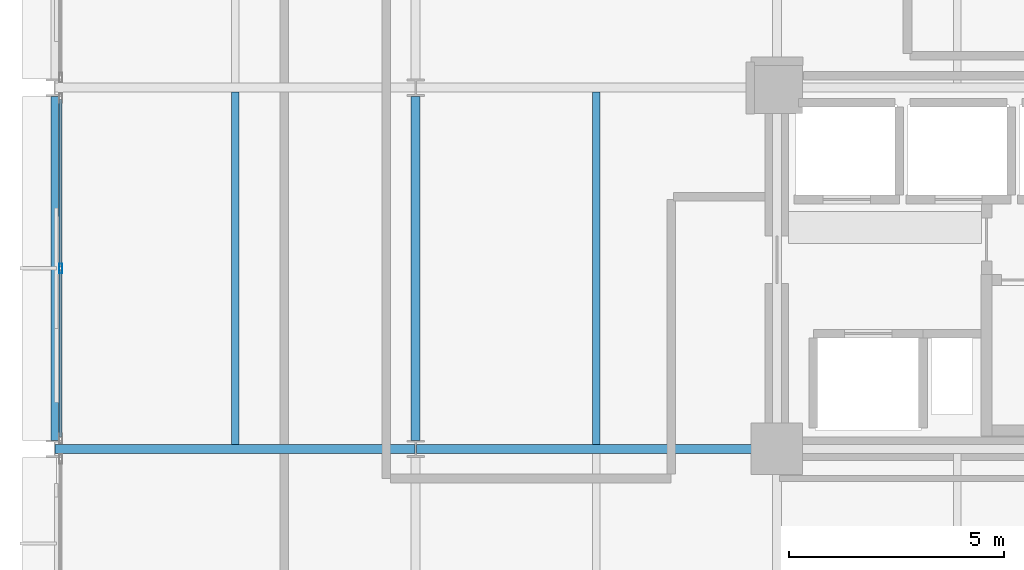
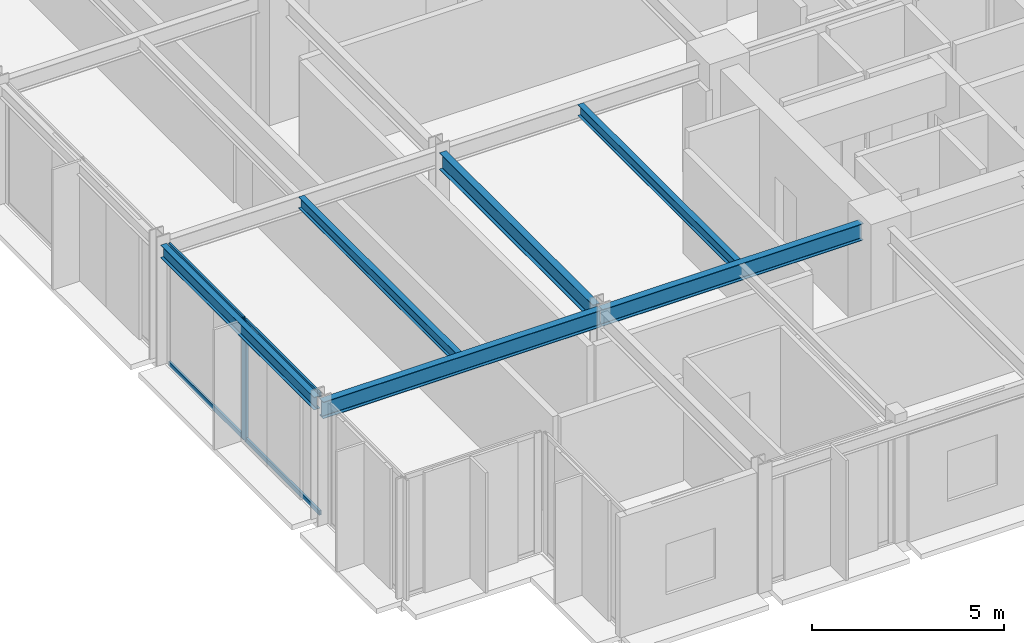
# One storey, part 3 of 25: 6 beams, 5 members, 1 element without a shape of its own.
"""IFC4 building model written with IfcOpenShell, lengths in metres."""

from ifc_helpers import new_model, si_unit, direction, frame, origin, origin_2d, place, context, subcontext, project, spatial, hollow_rectangle, i_section, extrude, material, layer, layer_set, material_profile, profile_set, type_object, element, aggregate, save


model = new_model("IFC4")

# Units and contexts
model_context = context("Model", 3, precision=1e-05, world=origin(), true_north=direction((0.0, 1.0)))
body_context = subcontext(model_context, "Body", "Model", "MODEL_VIEW")
ifc_project = project(units=[si_unit("LENGTHUNIT", "METRE"), si_unit("AREAUNIT", "SQUARE_METRE"), si_unit("VOLUMEUNIT", "CUBIC_METRE"), si_unit("PLANEANGLEUNIT", "RADIAN"), si_unit("MASSUNIT", "GRAM", prefix="KILO")], contexts=[model_context])

# Site, building, storey
site_placement = place(None, origin())
site = spatial("IfcSite", under=ifc_project, at=site_placement, CompositionType="ELEMENT")
building_placement = place(site_placement, origin())
building = spatial("IfcBuilding", under=site, at=building_placement, Name="Nerrivon Quay Data Exchange", CompositionType="ELEMENT")
storey_placement = place(building_placement, frame((0.0, 0.0, 113.10009765625)))
storey = spatial("IfcBuildingStorey", under=building, at=storey_placement, Name="L26", CompositionType="ELEMENT", Elevation=113.10009765625)

# Beams
ifc_material_1 = material(Name="Steel Grade 350", Category="steel")
ifc_material_profile_1 = material_profile(ifc_material_1, i_section(OverallWidth=0.208984375, OverallDepth=0.532958984375, WebThickness=0.01025390625, FlangeThickness=0.015625, FilletRadius=0.013916015625, at=origin_2d()), Name="530UB92.4")
ifc_profile_set_1 = profile_set([ifc_material_profile_1], Name="Steel Grade 350")
beam_type_1 = type_object("IfcBeamType", Name="BM-G3-530UB92", PredefinedType="BEAM", material=ifc_profile_set_1)
beam_1_placement = place(storey_placement, frame((0.012451171875, 8.39990234375, 3.558349609375), z_axis=(1.0, 0.0, 0.0), x_axis=(0.0, 1.0, 0.0)))
element("IfcBeam", 1, at=beam_1_placement, inside=storey, type_object=beam_type_1, Name="L26 EW Girder Y=8.4 (0.0..8.4)", PredefinedType="BEAM", context=body_context, shape_type="SweptSolid", body=[
    extrude(i_section(OverallWidth=0.208984375, OverallDepth=0.532958984375, WebThickness=0.01025390625, FlangeThickness=0.015625, FilletRadius=0.013916015625, at=origin_2d()), origin(), (0.0, 0.0, 1.0), 8.375),
])
beam_2_placement = place(storey_placement, frame((8.41259765625, 8.39990234375, 3.558349609375), z_axis=(1.0, 0.0, 0.0), x_axis=(0.0, 1.0, 0.0)))
element("IfcBeam", 2, at=beam_2_placement, inside=storey, type_object=beam_type_1, Name="L26 EW Girder Y=8.4 (8.4..16.8)", PredefinedType="BEAM", context=body_context, shape_type="SweptSolid", body=[
    extrude(i_section(OverallWidth=0.208984375, OverallDepth=0.532958984375, WebThickness=0.01025390625, FlangeThickness=0.015625, FilletRadius=0.013916015625, at=origin_2d()), origin(), (0.0, 0.0, 1.0), 7.847412109375),
])
ifc_material_profile_2 = material_profile(ifc_material_1, i_section(OverallWidth=0.208984375, OverallDepth=0.528076171875, WebThickness=0.009521484375, FlangeThickness=0.01318359375, FilletRadius=0.013916015625, at=origin_2d()), Name="530UB82.0")
ifc_profile_set_2 = profile_set([ifc_material_profile_2], Name="Steel Grade 350")
beam_type_2 = type_object("IfcBeamType", Name="BM-G4-530UB82", PredefinedType="BEAM", material=ifc_profile_set_2)
beam_3_placement = place(storey_placement, frame((8.39990234375, 8.60009765625, 3.560791015625), z_axis=(0.0, 1.0, 0.0), x_axis=(-1.0, 0.0, 0.0)))
element("IfcBeam", 3, at=beam_3_placement, inside=storey, type_object=beam_type_2, Name="L26 NS Girder X=8.4 (8.4..16.8)", PredefinedType="BEAM", context=body_context, shape_type="SweptSolid", body=[
    extrude(i_section(OverallWidth=0.208984375, OverallDepth=0.528076171875, WebThickness=0.009521484375, FlangeThickness=0.01318359375, FilletRadius=0.013916015625, at=origin_2d()), origin(), (0.0, 0.0, 1.0), 8.0),
])
ifc_material_profile_3 = material_profile(ifc_material_1, i_section(OverallWidth=0.1708984375, OverallDepth=0.35595703125, WebThickness=0.00732421875, FlangeThickness=0.011474609375, FilletRadius=0.011474609375, at=origin_2d()), Name="360UB50.7")
ifc_profile_set_3 = profile_set([ifc_material_profile_3], Name="Steel Grade 350")
beam_type_3 = type_object("IfcBeamType", Name="BM-J4-360UB51", PredefinedType="JOIST", material=ifc_profile_set_3)
for number, where, z_axis, x_axis, name in (
    (4, (4.199951171875, 8.50439453125, 3.64697265625), (0.0, 1.0, 0.0), (-1.0, 0.0, 0.0), "L26 Secondary Joist X=4.2 (8.4..16.8)"),
    (5, (12.60009765625, 8.50439453125, 3.64697265625), (0.0, 1.0, 0.0), (-1.0, 0.0, 0.0), "L26 Secondary Joist X=12.6 (8.4..16.8)"),
):
    element("IfcBeam", number, at=place(storey_placement, frame(where, z_axis=z_axis, x_axis=x_axis)), inside=storey, type_object=beam_type_3, Name=name, PredefinedType="JOIST", context=body_context, shape_type="SweptSolid", body=[
        extrude(i_section(OverallWidth=0.1708984375, OverallDepth=0.35595703125, WebThickness=0.00732421875, FlangeThickness=0.011474609375, FilletRadius=0.011474609375, at=origin_2d()), origin(), (0.0, 0.0, 1.0), 8.191162109375),
    ])
ifc_material_profile_4 = material_profile(ifc_material_1, i_section(OverallWidth=0.177978515625, OverallDepth=0.403076171875, WebThickness=0.007568359375, FlangeThickness=0.010986328125, FilletRadius=0.011474609375, at=origin_2d()), Name="410UB53.7")
ifc_profile_set_4 = profile_set([ifc_material_profile_4], Name="Steel Grade 350")
beam_type_4 = type_object("IfcBeamType", Name="BM-SP2-410UB54", PredefinedType="SPANDREL", material=ifc_profile_set_4)
beam_4_placement = place(storey_placement, frame((0.0, 8.60009765625, 3.623291015625), z_axis=(0.0, 1.0, 0.0), x_axis=(-1.0, 0.0, 0.0)))
element("IfcBeam", 6, at=beam_4_placement, inside=storey, type_object=beam_type_4, Name="L26 NS Girder X=0.0 (8.4..16.8)", PredefinedType="SPANDREL", context=body_context, shape_type="SweptSolid", body=[
    extrude(i_section(OverallWidth=0.177978515625, OverallDepth=0.403076171875, WebThickness=0.007568359375, FlangeThickness=0.010986328125, FilletRadius=0.011474609375, at=origin_2d()), origin(), (0.0, 0.0, 1.0), 8.0),
])

# Curtain wall, members
ifc_material_2 = material(Name="Anodised aluminium 6063-T6", Category="aluminium")
ifc_layer = layer(ifc_material_2, 0.22998046875)
ifc_layer_set = layer_set([ifc_layer], Name="Anodised aluminium 6063-T6")
curtain_wall_type = type_object("IfcCurtainWallType", Name="CW-SYS-05", PredefinedType="NOTDEFINED", material=ifc_layer_set)
curtain_wall_placement = place(storey_placement, origin())
curtain_wall = element("IfcCurtainWall", 7, at=curtain_wall_placement, inside=storey, type_object=curtain_wall_type, Name="L26 Unitised Curtain Wall 13", PredefinedType="NOTDEFINED")
ifc_material_profile_5 = material_profile(ifc_material_2, hollow_rectangle(XDim=0.074951171875, YDim=0.219970703125, WallThickness=0.00390625, at=origin_2d()), Name="ALU-MULL-220x75")
ifc_profile_set_5 = profile_set([ifc_material_profile_5], Name="Anodised aluminium 6063-T6")
member_type_1 = type_object("IfcMemberType", Name="CWM-220x75", PredefinedType="MULLION", material=ifc_profile_set_5)
member_1_placement = place(storey_placement, frame((0.139892578125, 12.60009765625, 0.0), z_axis=(0.0, 0.0, 1.0), x_axis=(-1.0, 0.0, 0.0)))
member_1 = element("IfcMember", 8, at=member_1_placement, type_object=member_type_1, Name="CW05 mullion 2", PredefinedType="MULLION", context=body_context, shape_type="SweptSolid", body=[
    extrude(hollow_rectangle(XDim=0.074951171875, YDim=0.219970703125, WallThickness=0.00390625, at=origin_2d()), origin(), (0.0, 0.0, 1.0), 3.824951171875),
])
ifc_material_profile_6 = material_profile(ifc_material_2, hollow_rectangle(XDim=0.06494140625, YDim=0.14990234375, WallThickness=0.00341796875, at=origin_2d()), Name="ALU-TRAN-150x65")
ifc_profile_set_6 = profile_set([ifc_material_profile_6], Name="Anodised aluminium 6063-T6")
member_type_2 = type_object("IfcMemberType", Name="CWT-150x65", PredefinedType="USERDEFINED", material=ifc_profile_set_6)
member_2_placement = place(storey_placement, frame((0.139892578125, 8.675048828125, 0.032470703125), z_axis=(0.0, 1.0, 0.0), x_axis=(-1.0, 0.0, 0.0)))
member_2 = element("IfcMember", 9, at=member_2_placement, type_object=member_type_2, Name="CW05 transom 1.1", ObjectType="TRANSOM", PredefinedType="USERDEFINED", context=body_context, shape_type="SweptSolid", body=[
    extrude(hollow_rectangle(XDim=0.06494140625, YDim=0.14990234375, WallThickness=0.00341796875, at=origin_2d()), origin(), (0.0, 0.0, 1.0), 3.887451171875),
])
member_3_placement = place(storey_placement, frame((0.139892578125, 8.675048828125, 3.79248046875), z_axis=(0.0, 1.0, 0.0), x_axis=(-1.0, 0.0, 0.0)))
member_3 = element("IfcMember", 10, at=member_3_placement, type_object=member_type_2, Name="CW05 transom 1.2", ObjectType="TRANSOM", PredefinedType="USERDEFINED", context=body_context, shape_type="SweptSolid", body=[
    extrude(hollow_rectangle(XDim=0.06494140625, YDim=0.14990234375, WallThickness=0.00341796875, at=origin_2d()), origin(), (0.0, 0.0, 1.0), 3.887451171875),
])
member_4_placement = place(storey_placement, frame((0.139892578125, 12.637451171875, 0.032470703125), z_axis=(0.0, 1.0, 0.0), x_axis=(-1.0, 0.0, 0.0)))
member_4 = element("IfcMember", 11, at=member_4_placement, type_object=member_type_2, Name="CW05 transom 2.1", ObjectType="TRANSOM", PredefinedType="USERDEFINED", context=body_context, shape_type="SweptSolid", body=[
    extrude(hollow_rectangle(XDim=0.06494140625, YDim=0.14990234375, WallThickness=0.00341796875, at=origin_2d()), origin(), (0.0, 0.0, 1.0), 3.887451171875),
])
member_5_placement = place(storey_placement, frame((0.139892578125, 12.637451171875, 3.79248046875), z_axis=(0.0, 1.0, 0.0), x_axis=(-1.0, 0.0, 0.0)))
member_5 = element("IfcMember", 12, at=member_5_placement, type_object=member_type_2, Name="CW05 transom 2.2", ObjectType="TRANSOM", PredefinedType="USERDEFINED", context=body_context, shape_type="SweptSolid", body=[
    extrude(hollow_rectangle(XDim=0.06494140625, YDim=0.14990234375, WallThickness=0.00341796875, at=origin_2d()), origin(), (0.0, 0.0, 1.0), 3.887451171875),
])
aggregate(curtain_wall, [member_1, member_2, member_3, member_4, member_5])

save(model, "model.ifc")
